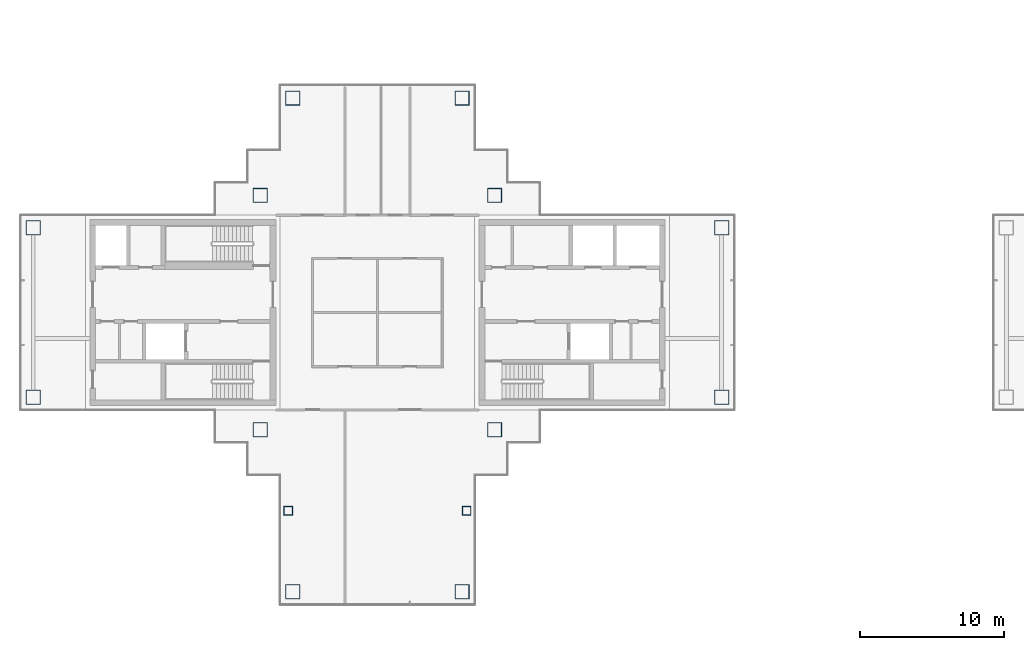
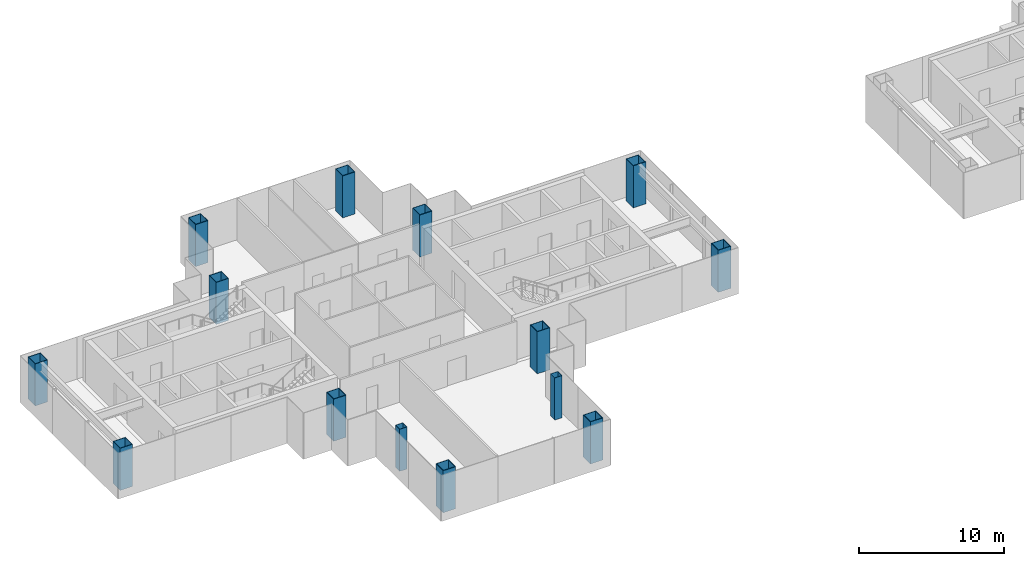
# One storey, part 1 of 16: 14 columns.
"""IFC4 building model written with IfcOpenShell, lengths in metres."""

from ifc_helpers import new_model, si_unit, direction, frame, origin, origin_2d, place, context, subcontext, project, spatial, hollow_rectangle, extrude, material, material_profile, profile_set, type_object, element, save


model = new_model("IFC4")

# Units and contexts
model_context = context("Model", 3, precision=1e-05, world=origin(), true_north=direction((0.0, 1.0)))
body_context = subcontext(model_context, "Body", "Model", "MODEL_VIEW")
ifc_project = project(units=[si_unit("LENGTHUNIT", "METRE"), si_unit("AREAUNIT", "SQUARE_METRE"), si_unit("VOLUMEUNIT", "CUBIC_METRE"), si_unit("PLANEANGLEUNIT", "RADIAN"), si_unit("MASSUNIT", "GRAM", prefix="KILO")], contexts=[model_context])

# Site, building, storey
site_placement = place(None, origin())
site = spatial("IfcSite", under=ifc_project, at=site_placement, CompositionType="ELEMENT")
building_placement = place(site_placement, origin())
building = spatial("IfcBuilding", under=site, at=building_placement, Name="Shamsa Quay Exchange Towers", CompositionType="ELEMENT")
storey_placement = place(building_placement, frame((0.0, 0.0, 190.5)))
storey = spatial("IfcBuildingStorey", under=building, at=storey_placement, Name="L45", CompositionType="ELEMENT", Elevation=190.5)

# Columns
ifc_material_1 = material(Name="Concrete-filled steel tube S355 / C80/95", Category="concrete")
ifc_material_profile_1 = material_profile(ifc_material_1, hollow_rectangle(XDim=1.0, YDim=1.0, WallThickness=0.0400390625, at=origin_2d()), Name="CFT 1000x1000x40")
ifc_profile_set_1 = profile_set([ifc_material_profile_1], Name="Concrete-filled steel tube S355 / C80/95")
column_type_1 = type_object("IfcColumnType", Name="Column CFT 1000x1000x40", PredefinedType="COLUMN", material=ifc_profile_set_1)
for number, where, name in (
    (1, (-25.625, 8.125, 0.0), "Mega column T1-CM01"),
    (2, (-25.625, -8.125, 0.0), "Mega column T1-CM02"),
    (3, (-41.875, 8.125, 0.0), "Mega column T1-CM03"),
    (4, (-41.875, -8.125, 0.0), "Mega column T1-CM04"),
    (5, (-9.875, -5.875, 0.0), "Mega column T1-CM05"),
    (6, (-9.875, 5.875, 0.0), "Mega column T1-CM07"),
    (7, (-57.625, -5.875, 0.0), "Mega column T1-CM09"),
    (8, (-57.625, 5.875, 0.0), "Mega column T1-CM11"),
    (9, (-39.625, 14.875, 0.0), "Mega column T1-CM13"),
    (10, (-27.875, 14.875, 0.0), "Mega column T1-CM16"),
    (11, (-39.625, -19.375, 0.0), "Mega column T1-CM20"),
    (12, (-27.875, -19.375, 0.0), "Mega column T1-CM23"),
):
    element("IfcColumn", number, at=place(storey_placement, frame(where)), inside=storey, type_object=column_type_1, Name=name, PredefinedType="COLUMN", context=body_context, shape_type="SweptSolid", body=[
        extrude(hollow_rectangle(XDim=1.0, YDim=1.0, WallThickness=0.0400390625, at=origin_2d()), origin(), (0.0, 0.0, 1.0), 3.550048828125),
    ])
ifc_material_2 = material(Name="Concrete-filled steel tube S355 / C60/75", Category="concrete")
ifc_material_profile_2 = material_profile(ifc_material_2, hollow_rectangle(XDim=0.60009765625, YDim=0.60009765625, WallThickness=0.02001953125, at=origin_2d()), Name="CFT 600x600x20")
ifc_profile_set_2 = profile_set([ifc_material_profile_2], Name="Concrete-filled steel tube S355 / C60/75")
column_type_2 = type_object("IfcColumnType", Name="Column CFT 600x600x20", PredefinedType="COLUMN", material=ifc_profile_set_2)
for number, where, name in (
    (13, (-39.9375, -13.75, 0.0), "Perimeter column T1-CP19"),
    (14, (-27.5625, -13.75, 0.0), "Perimeter column T1-CP22"),
):
    element("IfcColumn", number, at=place(storey_placement, frame(where)), inside=storey, type_object=column_type_2, Name=name, PredefinedType="COLUMN", context=body_context, shape_type="SweptSolid", body=[
        extrude(hollow_rectangle(XDim=0.60009765625, YDim=0.60009765625, WallThickness=0.02001953125, at=origin_2d()), origin(), (0.0, 0.0, 1.0), 3.550048828125),
    ])

save(model, "model.ifc")
